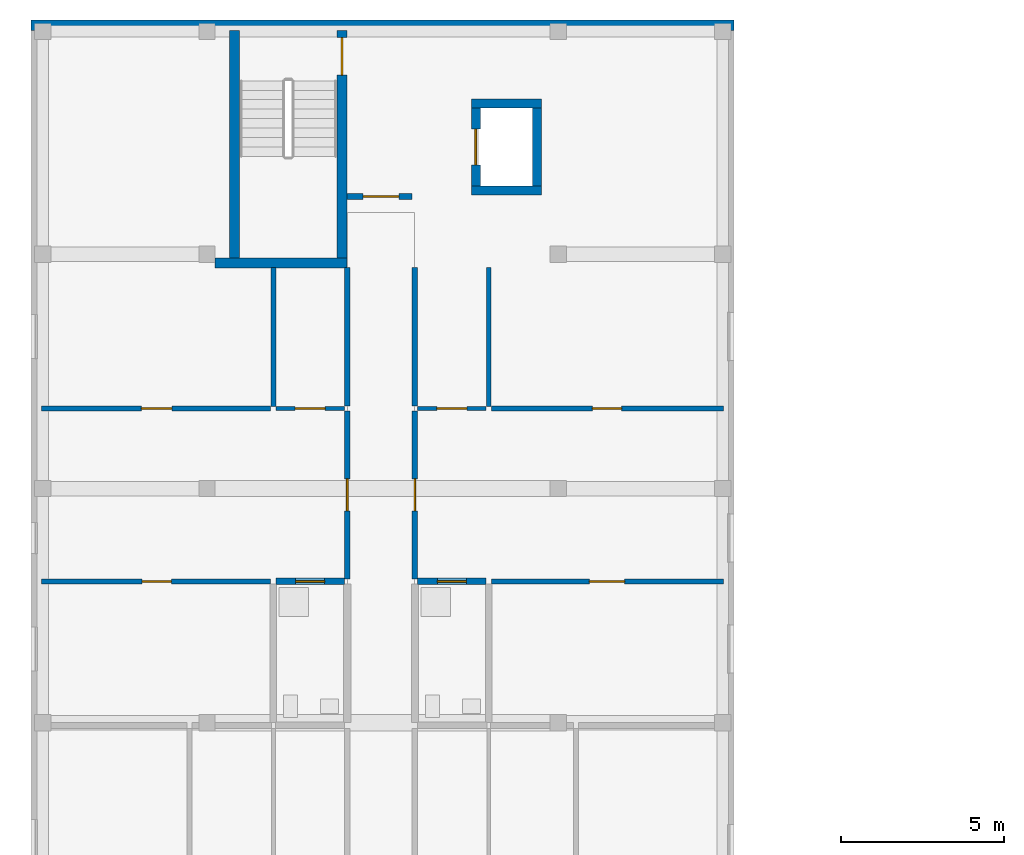
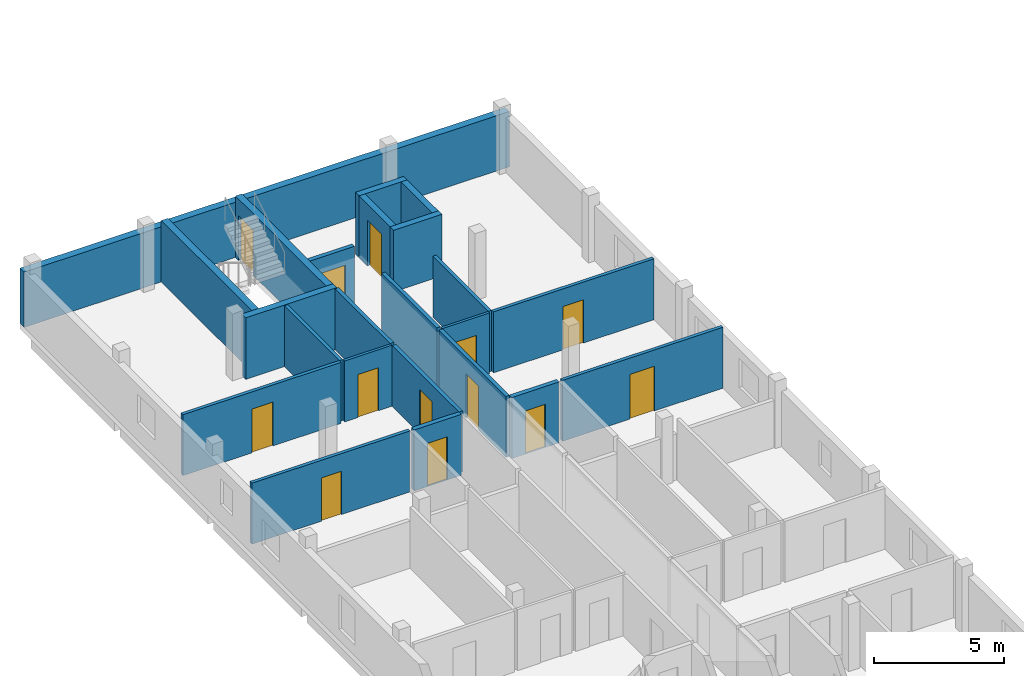
# One storey, part 8 of 16: 23 walls, 13 doors, 13 openings.
"""IFC4 building model written with IfcOpenShell, lengths in metres."""

from ifc_helpers import new_model, si_unit, derived_unit, direction, frame, frame_2d, origin, place, context, subcontext, project, spatial, rectangle, extrude, material, layer, layer_set, type_object, element, fill, save


model = new_model("IFC4")

# Units and contexts
model_context = context("Model", 3, precision=1e-05, world=origin(), true_north=direction((0.0, 1.0)))
body_context = subcontext(model_context, "Body", "Model", "MODEL_VIEW")
ifc_project = project(units=[si_unit("LENGTHUNIT", "METRE"), si_unit("AREAUNIT", "SQUARE_METRE"), si_unit("VOLUMEUNIT", "CUBIC_METRE"), si_unit("PLANEANGLEUNIT", "RADIAN"), si_unit("MASSUNIT", "GRAM", prefix="KILO"), derived_unit("THERMALTRANSMITTANCEUNIT", [(si_unit("MASSUNIT", "GRAM", prefix="KILO"), 1), (si_unit("TIMEUNIT", "SECOND"), -3), (si_unit("THERMODYNAMICTEMPERATUREUNIT", "KELVIN"), -1)])], contexts=[model_context])

# Site, building, storey
site_placement = place(None, origin())
site = spatial("IfcSite", under=ifc_project, at=site_placement, CompositionType="ELEMENT")
building_placement = place(site_placement, origin())
building = spatial("IfcBuilding", under=site, at=building_placement, Name="Ochrekiln Boulevard Commons", CompositionType="ELEMENT")
storey_placement = place(building_placement, frame((0.0, 0.0, 43.574951171875)))
storey = spatial("IfcBuildingStorey", under=building, at=storey_placement, Name="L13", CompositionType="ELEMENT", Elevation=43.574951171875)

# Wall
ifc_material_1 = material(Name="Desert ochre clinker brick masonry ASTM C216 Grade SW", Category="masonry")
ifc_layer_1 = layer(ifc_material_1, 0.320068359375)
ifc_layer_set_1 = layer_set([ifc_layer_1], Name="Desert ochre clinker brick masonry ASTM C216 Grade SW")
wall_type_1 = type_object("IfcWallType", Name="WL-EXT-OCHRE-320", PredefinedType="SOLIDWALL", material=ifc_layer_set_1)
wall_1_placement = place(storey_placement, frame((0.0, 118.639892578125, 0.0), z_axis=(0.0, 0.0, 1.0), x_axis=(1.0, 0.0, 0.0)))
element("IfcWall", 1, at=wall_1_placement, inside=storey, type_object=wall_type_1, Name="Block A L13 N Exterior Wall", PredefinedType="SOLIDWALL", context=body_context, shape_type="SweptSolid", body=[
    extrude(rectangle(XDim=21.60009765625, YDim=0.320068359375, at=frame_2d((10.800048828125, 0.0))), origin(), (0.0, 0.0, 1.0), 2.60009765625),
])

# Wall, opening, door
ifc_material_2 = material(Name="Moisture-resistant cementitious tile backer wall")
ifc_layer_2 = layer(ifc_material_2, 0.199951171875)
ifc_layer_set_2 = layer_set([ifc_layer_2], Name="Moisture-resistant cementitious tile backer wall")
wall_type_2 = type_object("IfcWallType", Name="WL-PLM-200", PredefinedType="PLUMBINGWALL", material=ifc_layer_set_2)
wall_2_placement = place(storey_placement, frame((7.52001953125, 101.547119140625, 0.0), z_axis=(0.0, 0.0, 1.0), x_axis=(1.0, 0.0, 0.0)))
wall_2 = element("IfcWall", 2, at=wall_2_placement, inside=storey, type_object=wall_type_2, Name="L13 Interior Wall W-PW200", PredefinedType="PLUMBINGWALL", context=body_context, shape_type="SweptSolid", body=[
    extrude(rectangle(XDim=2.10791015625, YDim=0.199951171875, at=frame_2d((1.053955078125, 0.0))), origin(), (0.0, 0.0, 1.0), 2.8701171875),
])
opening_1_placement = place(wall_2_placement, frame((0.60498046875, 0.0, 0.0)))
opening_1 = element("IfcOpeningElement", 3, at=opening_1_placement, cuts=wall_2, Name="Opening D-L13-1349", PredefinedType="OPENING", context=body_context, shape_type="SweptSolid", body=[
    extrude(rectangle(XDim=0.889892578125, YDim=2.030029296875, at=frame_2d((0.44482421875, 1.01513671875))), frame((0.0, 0.10986328125, 0.0), z_axis=(0.0, -1.0, 0.0), x_axis=(1.0, 0.0, 0.0)), (0.0, 0.0, 1.0), 0.219970703125),
])
ifc_material_3 = material(Name="Solid core architectural oak door leaf")
door_type_1 = type_object("IfcDoorType", Name="DR-INT-BTH-089", OperationType="NOTDEFINED", PredefinedType="DOOR", material=ifc_material_3)
door_1_placement = place(opening_1_placement, frame((0.889892578125, 0.0, 0.0), z_axis=(0.0, 0.0, 1.0), x_axis=(-1.0, 0.0, 0.0)))
door_1 = element("IfcDoor", 4, at=door_1_placement, inside=storey, type_object=door_type_1, Name="L13 Interior Door to Apartment Bathroom", OperationType="SINGLE_SWING_LEFT", OverallHeight=2.030029296875, OverallWidth=0.889892578125, PredefinedType="DOOR", context=body_context, shape_type="SweptSolid", body=[
    extrude(rectangle(XDim=0.889892578125, YDim=2.030029296875, at=frame_2d((0.44482421875, 1.01513671875))), frame((0.0, 0.02490234375, 0.0), z_axis=(0.0, -1.0, 0.0), x_axis=(1.0, 0.0, 0.0)), (0.0, 0.0, 1.0), 0.050048828125),
])
fill(opening_1, door_1)

wall_3_placement = place(storey_placement, frame((11.8720703125, 101.547119140625, 0.0), z_axis=(0.0, 0.0, 1.0), x_axis=(1.0, 0.0, 0.0)))
wall_3 = element("IfcWall", 5, at=wall_3_placement, inside=storey, type_object=wall_type_2, Name="L13 Interior Wall W-PW200", PredefinedType="PLUMBINGWALL", context=body_context, shape_type="SweptSolid", body=[
    extrude(rectangle(XDim=2.10791015625, YDim=0.199951171875, at=frame_2d((1.053955078125, 0.0))), origin(), (0.0, 0.0, 1.0), 2.8701171875),
])
opening_2_placement = place(wall_3_placement, frame((0.613037109375, 0.0, 0.0)))
opening_2 = element("IfcOpeningElement", 6, at=opening_2_placement, cuts=wall_3, Name="Opening D-L13-1360", PredefinedType="OPENING", context=body_context, shape_type="SweptSolid", body=[
    extrude(rectangle(XDim=0.889892578125, YDim=2.030029296875, at=frame_2d((0.44482421875, 1.01513671875))), frame((0.0, 0.10986328125, 0.0), z_axis=(0.0, -1.0, 0.0), x_axis=(1.0, 0.0, 0.0)), (0.0, 0.0, 1.0), 0.219970703125),
])
door_2_placement = place(opening_2_placement, frame((0.889892578125, 0.0, 0.0), z_axis=(0.0, 0.0, 1.0), x_axis=(-1.0, 0.0, 0.0)))
door_2 = element("IfcDoor", 7, at=door_2_placement, inside=storey, type_object=door_type_1, Name="L13 Interior Door to Apartment Bathroom", OperationType="SINGLE_SWING_RIGHT", OverallHeight=2.030029296875, OverallWidth=0.889892578125, PredefinedType="DOOR", context=body_context, shape_type="SweptSolid", body=[
    extrude(rectangle(XDim=0.889892578125, YDim=2.030029296875, at=frame_2d((0.44482421875, 1.01513671875))), frame((0.0, 0.02490234375, 0.0), z_axis=(0.0, -1.0, 0.0), x_axis=(1.0, 0.0, 0.0)), (0.0, 0.0, 1.0), 0.050048828125),
])
fill(opening_2, door_2)

ifc_material_4 = material(Name="Fire-rated Type X gypsum board on steel studs", Category="steel")
ifc_layer_3 = layer(ifc_material_4, 0.1650390625)
ifc_layer_set_3 = layer_set([ifc_layer_3], Name="Fire-rated Type X gypsum board on steel studs")
wall_type_3 = type_object("IfcWallType", Name="WL-PT-CORR-165", PredefinedType="PARTITIONING", material=ifc_layer_set_3)
wall_4_placement = place(storey_placement, frame((9.7099609375, 101.626953125, 0.0), z_axis=(0.0, 0.0, 1.0), x_axis=(0.0, 1.0, 0.0)))
wall_4 = element("IfcWall", 8, at=wall_4_placement, inside=storey, type_object=wall_type_3, Name="L13 Interior Wall W-PC165", PredefinedType="PARTITIONING", context=body_context, shape_type="SweptSolid", body=[
    extrude(rectangle(XDim=5.156005859375, YDim=0.1650390625, at=frame_2d((2.578125, 0.0))), origin(), (0.0, 0.0, 1.0), 2.8701171875),
])
opening_3_placement = place(wall_4_placement, frame((2.087890625, 0.0, 0.0)))
opening_3 = element("IfcOpeningElement", 9, at=opening_3_placement, cuts=wall_4, Name="Opening D-L13-1339", PredefinedType="OPENING", context=body_context, shape_type="SweptSolid", body=[
    extrude(rectangle(XDim=0.97998046875, YDim=2.080078125, at=frame_2d((0.489990234375, 1.0400390625))), frame((0.0, 0.092529296875, 0.0), z_axis=(0.0, -1.0, 0.0), x_axis=(1.0, 0.0, 0.0)), (0.0, 0.0, 1.0), 0.18505859375),
])
door_type_2 = type_object("IfcDoorType", Name="DR-APT-60", OperationType="NOTDEFINED", PredefinedType="DOOR", material=ifc_material_3)
door_3_placement = place(opening_3_placement, origin())
door_3 = element("IfcDoor", 10, at=door_3_placement, inside=storey, type_object=door_type_2, Name="L13 Interior Door to Two-Bedroom Apartment Living Room", OperationType="SINGLE_SWING_LEFT", OverallHeight=2.080078125, OverallWidth=0.97998046875, PredefinedType="DOOR", context=body_context, shape_type="SweptSolid", body=[
    extrude(rectangle(XDim=0.97998046875, YDim=2.080078125, at=frame_2d((0.489990234375, 1.0400390625))), frame((0.0, 0.02490234375, 0.0), z_axis=(0.0, -1.0, 0.0), x_axis=(1.0, 0.0, 0.0)), (0.0, 0.0, 1.0), 0.050048828125),
])
fill(opening_3, door_3)

# Wall
wall_5_placement = place(storey_placement, frame((9.7099609375, 106.943115234375, 0.0), z_axis=(0.0, 0.0, 1.0), x_axis=(0.0, 1.0, 0.0)))
element("IfcWall", 11, at=wall_5_placement, inside=storey, type_object=wall_type_3, Name="L13 Interior Wall W-PC165", PredefinedType="PARTITIONING", context=body_context, shape_type="SweptSolid", body=[
    extrude(rectangle(XDim=4.2568359375, YDim=0.1650390625, at=frame_2d((2.12841796875, 0.0))), origin(), (0.0, 0.0, 1.0), 2.8701171875),
])

# Wall, opening, door
wall_6_placement = place(storey_placement, frame((11.7900390625, 101.626953125, 0.0), z_axis=(0.0, 0.0, 1.0), x_axis=(0.0, 1.0, 0.0)))
wall_6 = element("IfcWall", 12, at=wall_6_placement, inside=storey, type_object=wall_type_3, Name="L13 Interior Wall W-PC165", PredefinedType="PARTITIONING", context=body_context, shape_type="SweptSolid", body=[
    extrude(rectangle(XDim=5.156005859375, YDim=0.1650390625, at=frame_2d((2.578125, 0.0))), origin(), (0.0, 0.0, 1.0), 2.8701171875),
])
opening_4_placement = place(wall_6_placement, frame((2.087890625, 0.0, 0.0)))
opening_4 = element("IfcOpeningElement", 13, at=opening_4_placement, cuts=wall_6, Name="Opening D-L13-1341", PredefinedType="OPENING", context=body_context, shape_type="SweptSolid", body=[
    extrude(rectangle(XDim=0.97998046875, YDim=2.080078125, at=frame_2d((0.489990234375, 1.0400390625))), frame((0.0, 0.092529296875, 0.0), z_axis=(0.0, -1.0, 0.0), x_axis=(1.0, 0.0, 0.0)), (0.0, 0.0, 1.0), 0.18505859375),
])
door_4_placement = place(opening_4_placement, frame((0.97998046875, 0.0, 0.0), z_axis=(0.0, 0.0, 1.0), x_axis=(-1.0, 0.0, 0.0)))
door_4 = element("IfcDoor", 14, at=door_4_placement, inside=storey, type_object=door_type_2, Name="L13 Interior Door to Two-Bedroom Apartment Living Room", OperationType="SINGLE_SWING_LEFT", OverallHeight=2.080078125, OverallWidth=0.97998046875, PredefinedType="DOOR", context=body_context, shape_type="SweptSolid", body=[
    extrude(rectangle(XDim=0.97998046875, YDim=2.080078125, at=frame_2d((0.489990234375, 1.0400390625))), frame((0.0, 0.02490234375, 0.0), z_axis=(0.0, -1.0, 0.0), x_axis=(1.0, 0.0, 0.0)), (0.0, 0.0, 1.0), 0.050048828125),
])
fill(opening_4, door_4)

# Wall
wall_7_placement = place(storey_placement, frame((11.7900390625, 106.943115234375, 0.0), z_axis=(0.0, 0.0, 1.0), x_axis=(0.0, 1.0, 0.0)))
element("IfcWall", 15, at=wall_7_placement, inside=storey, type_object=wall_type_3, Name="L13 Interior Wall W-PC165", PredefinedType="PARTITIONING", context=body_context, shape_type="SweptSolid", body=[
    extrude(rectangle(XDim=4.2568359375, YDim=0.1650390625, at=frame_2d((2.12841796875, 0.0))), origin(), (0.0, 0.0, 1.0), 2.8701171875),
])

# Wall, opening, door
ifc_layer_4 = layer(ifc_material_4, 0.18994140625)
ifc_layer_set_4 = layer_set([ifc_layer_4], Name="Fire-rated Type X gypsum board on steel studs")
wall_type_4 = type_object("IfcWallType", Name="WL-PT-LBY-190", PredefinedType="PARTITIONING", material=ifc_layer_set_4)
wall_8_placement = place(storey_placement, frame((9.699951171875, 113.3798828125, 0.0), z_axis=(0.0, 0.0, 1.0), x_axis=(1.0, 0.0, 0.0)))
wall_8 = element("IfcWall", 16, at=wall_8_placement, inside=storey, type_object=wall_type_4, Name="L13 Interior Wall W-PL190", PredefinedType="PARTITIONING", context=body_context, shape_type="SweptSolid", body=[
    extrude(rectangle(XDim=2.0, YDim=0.18994140625, at=frame_2d((1.0, 0.0))), origin(), (0.0, 0.0, 1.0), 2.8701171875),
])
opening_5_placement = place(wall_8_placement, frame((0.5, 0.0, 0.0)))
opening_5 = element("IfcOpeningElement", 17, at=opening_5_placement, cuts=wall_8, Name="Opening D-L13-1336", PredefinedType="OPENING", context=body_context, shape_type="SweptSolid", body=[
    extrude(rectangle(XDim=1.10009765625, YDim=2.1201171875, at=frame_2d((0.550048828125, 1.06005859375))), frame((0.0, 0.10498046875, 0.0), z_axis=(0.0, -1.0, 0.0), x_axis=(1.0, 0.0, 0.0)), (0.0, 0.0, 1.0), 0.2099609375),
])
ifc_material_5 = material(Name="Hollow metal fire-rated steel door assembly", Category="steel")
door_type_3 = type_object("IfcDoorType", Name="DR-LOBBY-60", OperationType="NOTDEFINED", PredefinedType="DOOR", material=ifc_material_5)
door_5_placement = place(opening_5_placement, origin())
door_5 = element("IfcDoor", 18, at=door_5_placement, inside=storey, type_object=door_type_3, Name="L13 Interior Door to Fire Service Access Elevator Lobby", OperationType="SINGLE_SWING_RIGHT", OverallHeight=2.1201171875, OverallWidth=1.10009765625, PredefinedType="DOOR", context=body_context, shape_type="SweptSolid", body=[
    extrude(rectangle(XDim=1.10009765625, YDim=2.1201171875, at=frame_2d((0.550048828125, 1.06005859375))), frame((0.0, 0.02490234375, 0.0), z_axis=(0.0, -1.0, 0.0), x_axis=(1.0, 0.0, 0.0)), (0.0, 0.0, 1.0), 0.050048828125),
])
fill(opening_5, door_5)

ifc_layer_5 = layer(ifc_material_4, 0.1201171875)
ifc_layer_set_5 = layer_set([ifc_layer_5], Name="Fire-rated Type X gypsum board on steel studs")
wall_type_5 = type_object("IfcWallType", Name="WL-PT-LGT-120", PredefinedType="PARTITIONING", material=ifc_layer_set_5)
wall_9_placement = place(storey_placement, frame((7.52001953125, 106.863037109375, 0.0), z_axis=(0.0, 0.0, 1.0), x_axis=(1.0, 0.0, 0.0)))
wall_9 = element("IfcWall", 19, at=wall_9_placement, inside=storey, type_object=wall_type_5, Name="L13 Interior Wall W-PL120", PredefinedType="PARTITIONING", context=body_context, shape_type="SweptSolid", body=[
    extrude(rectangle(XDim=2.10791015625, YDim=0.1201171875, at=frame_2d((1.053955078125, 0.0))), origin(), (0.0, 0.0, 1.0), 2.8701171875),
])
opening_6_placement = place(wall_9_placement, frame((0.590087890625, 0.0, 0.0)))
opening_6 = element("IfcOpeningElement", 20, at=opening_6_placement, cuts=wall_9, Name="Opening D-L13-1350", PredefinedType="OPENING", context=body_context, shape_type="SweptSolid", body=[
    extrude(rectangle(XDim=0.919921875, YDim=2.02001953125, at=frame_2d((0.4599609375, 1.010009765625))), frame((0.0, 0.070068359375, 0.0), z_axis=(0.0, -1.0, 0.0), x_axis=(1.0, 0.0, 0.0)), (0.0, 0.0, 1.0), 0.14013671875),
])
door_type_4 = type_object("IfcDoorType", Name="DR-INT-KIT-092", OperationType="NOTDEFINED", PredefinedType="DOOR", material=ifc_material_3)
door_6_placement = place(opening_6_placement, origin())
door_6 = element("IfcDoor", 21, at=door_6_placement, inside=storey, type_object=door_type_4, Name="L13 Interior Door to Apartment Kitchen", OperationType="SINGLE_SWING_RIGHT", OverallHeight=2.02001953125, OverallWidth=0.919921875, PredefinedType="DOOR", context=body_context, shape_type="SweptSolid", body=[
    extrude(rectangle(XDim=0.919921875, YDim=2.02001953125, at=frame_2d((0.4599609375, 1.010009765625))), frame((0.0, 0.02490234375, 0.0), z_axis=(0.0, -1.0, 0.0), x_axis=(1.0, 0.0, 0.0)), (0.0, 0.0, 1.0), 0.050048828125),
])
fill(opening_6, door_6)

wall_10_placement = place(storey_placement, frame((11.8720703125, 106.863037109375, 0.0), z_axis=(0.0, 0.0, 1.0), x_axis=(1.0, 0.0, 0.0)))
wall_10 = element("IfcWall", 22, at=wall_10_placement, inside=storey, type_object=wall_type_5, Name="L13 Interior Wall W-PL120", PredefinedType="PARTITIONING", context=body_context, shape_type="SweptSolid", body=[
    extrude(rectangle(XDim=2.10791015625, YDim=0.1201171875, at=frame_2d((1.053955078125, 0.0))), origin(), (0.0, 0.0, 1.0), 2.8701171875),
])
opening_7_placement = place(wall_10_placement, frame((0.597900390625, 0.0, 0.0)))
opening_7 = element("IfcOpeningElement", 23, at=opening_7_placement, cuts=wall_10, Name="Opening D-L13-1361", PredefinedType="OPENING", context=body_context, shape_type="SweptSolid", body=[
    extrude(rectangle(XDim=0.919921875, YDim=2.02001953125, at=frame_2d((0.4599609375, 1.010009765625))), frame((0.0, 0.070068359375, 0.0), z_axis=(0.0, -1.0, 0.0), x_axis=(1.0, 0.0, 0.0)), (0.0, 0.0, 1.0), 0.14013671875),
])
door_7_placement = place(opening_7_placement, origin())
door_7 = element("IfcDoor", 24, at=door_7_placement, inside=storey, type_object=door_type_4, Name="L13 Interior Door to Apartment Kitchen", OperationType="SINGLE_SWING_LEFT", OverallHeight=2.02001953125, OverallWidth=0.919921875, PredefinedType="DOOR", context=body_context, shape_type="SweptSolid", body=[
    extrude(rectangle(XDim=0.919921875, YDim=2.02001953125, at=frame_2d((0.4599609375, 1.010009765625))), frame((0.0, 0.02490234375, 0.0), z_axis=(0.0, -1.0, 0.0), x_axis=(1.0, 0.0, 0.0)), (0.0, 0.0, 1.0), 0.050048828125),
])
fill(opening_7, door_7)

ifc_layer_6 = layer(ifc_material_4, 0.14990234375)
ifc_layer_set_6 = layer_set([ifc_layer_6], Name="Fire-rated Type X gypsum board on steel studs")
wall_type_6 = type_object("IfcWallType", Name="WL-PT-STD-150", PredefinedType="PARTITIONING", material=ifc_layer_set_6)
wall_11_placement = place(storey_placement, frame((0.320068359375, 101.547119140625, 0.0), z_axis=(0.0, 0.0, 1.0), x_axis=(1.0, 0.0, 0.0)))
wall_11 = element("IfcWall", 25, at=wall_11_placement, inside=storey, type_object=wall_type_6, Name="L13 Interior Wall W-PS150", PredefinedType="PARTITIONING", context=body_context, shape_type="SweptSolid", body=[
    extrude(rectangle(XDim=7.0400390625, YDim=0.14990234375, at=frame_2d((3.52001953125, 0.0))), origin(), (0.0, 0.0, 1.0), 2.8701171875),
])
opening_8_placement = place(wall_11_placement, frame((3.0849609375, 0.0, 0.0)))
opening_8 = element("IfcOpeningElement", 26, at=opening_8_placement, cuts=wall_11, Name="Opening D-L13-1351", PredefinedType="OPENING", context=body_context, shape_type="SweptSolid", body=[
    extrude(rectangle(XDim=0.89990234375, YDim=2.0400390625, at=frame_2d((0.449951171875, 1.02001953125))), frame((0.0, 0.0849609375, 0.0), z_axis=(0.0, -1.0, 0.0), x_axis=(1.0, 0.0, 0.0)), (0.0, 0.0, 1.0), 0.169921875),
])
door_type_5 = type_object("IfcDoorType", Name="DR-INT-BED-090", OperationType="NOTDEFINED", PredefinedType="DOOR", material=ifc_material_3)
door_8_placement = place(opening_8_placement, frame((0.89990234375, 0.0, 0.0), z_axis=(0.0, 0.0, 1.0), x_axis=(-1.0, 0.0, 0.0)))
door_8 = element("IfcDoor", 27, at=door_8_placement, inside=storey, type_object=door_type_5, Name="L13 Interior Door to Primary Apartment Bedroom", OperationType="SINGLE_SWING_LEFT", OverallHeight=2.0400390625, OverallWidth=0.89990234375, PredefinedType="DOOR", context=body_context, shape_type="SweptSolid", body=[
    extrude(rectangle(XDim=0.89990234375, YDim=2.0400390625, at=frame_2d((0.449951171875, 1.02001953125))), frame((0.0, 0.02490234375, 0.0), z_axis=(0.0, -1.0, 0.0), x_axis=(1.0, 0.0, 0.0)), (0.0, 0.0, 1.0), 0.050048828125),
])
fill(opening_8, door_8)

wall_12_placement = place(storey_placement, frame((0.320068359375, 106.863037109375, 0.0), z_axis=(0.0, 0.0, 1.0), x_axis=(1.0, 0.0, 0.0)))
wall_12 = element("IfcWall", 28, at=wall_12_placement, inside=storey, type_object=wall_type_6, Name="L13 Interior Wall W-PS150", PredefinedType="PARTITIONING", context=body_context, shape_type="SweptSolid", body=[
    extrude(rectangle(XDim=7.0400390625, YDim=0.14990234375, at=frame_2d((3.52001953125, 0.0))), origin(), (0.0, 0.0, 1.0), 2.8701171875),
])
opening_9_placement = place(wall_12_placement, frame((3.06494140625, 0.0, 0.0)))
opening_9 = element("IfcOpeningElement", 29, at=opening_9_placement, cuts=wall_12, Name="Opening D-L13-1352", PredefinedType="OPENING", context=body_context, shape_type="SweptSolid", body=[
    extrude(rectangle(XDim=0.93994140625, YDim=2.06005859375, at=frame_2d((0.469970703125, 1.030029296875))), frame((0.0, 0.0849609375, 0.0), z_axis=(0.0, -1.0, 0.0), x_axis=(1.0, 0.0, 0.0)), (0.0, 0.0, 1.0), 0.169921875),
])
door_type_6 = type_object("IfcDoorType", Name="DR-INT-BED-094", OperationType="NOTDEFINED", PredefinedType="DOOR", material=ifc_material_3)
door_9_placement = place(opening_9_placement, origin())
door_9 = element("IfcDoor", 30, at=door_9_placement, inside=storey, type_object=door_type_6, Name="L13 Interior Door to Secondary Apartment Bedroom", OperationType="SINGLE_SWING_RIGHT", OverallHeight=2.06005859375, OverallWidth=0.93994140625, PredefinedType="DOOR", context=body_context, shape_type="SweptSolid", body=[
    extrude(rectangle(XDim=0.93994140625, YDim=2.06005859375, at=frame_2d((0.469970703125, 1.030029296875))), frame((0.0, 0.02490234375, 0.0), z_axis=(0.0, -1.0, 0.0), x_axis=(1.0, 0.0, 0.0)), (0.0, 0.0, 1.0), 0.050048828125),
])
fill(opening_9, door_9)

# Wall
wall_13_placement = place(storey_placement, frame((7.43994140625, 106.923095703125, 0.0), z_axis=(0.0, 0.0, 1.0), x_axis=(0.0, 1.0, 0.0)))
element("IfcWall", 31, at=wall_13_placement, inside=storey, type_object=wall_type_6, Name="L13 Interior Wall W-PS150", PredefinedType="PARTITIONING", context=body_context, shape_type="SweptSolid", body=[
    extrude(rectangle(XDim=4.27685546875, YDim=0.14990234375, at=frame_2d((2.138427734375, 0.0))), origin(), (0.0, 0.0, 1.0), 2.8701171875),
])

# Wall, opening, door
wall_14_placement = place(storey_placement, frame((14.139892578125, 101.547119140625, 0.0), z_axis=(0.0, 0.0, 1.0), x_axis=(1.0, 0.0, 0.0)))
wall_14 = element("IfcWall", 32, at=wall_14_placement, inside=storey, type_object=wall_type_6, Name="L13 Interior Wall W-PS150", PredefinedType="PARTITIONING", context=body_context, shape_type="SweptSolid", body=[
    extrude(rectangle(XDim=7.14013671875, YDim=0.14990234375, at=frame_2d((3.570068359375, 0.0))), origin(), (0.0, 0.0, 1.0), 2.8701171875),
])
opening_10_placement = place(wall_14_placement, frame((3.014892578125, 0.0, 0.0)))
opening_10 = element("IfcOpeningElement", 33, at=opening_10_placement, cuts=wall_14, Name="Opening D-L13-1362", PredefinedType="OPENING", context=body_context, shape_type="SweptSolid", body=[
    extrude(rectangle(XDim=1.080078125, YDim=2.10009765625, at=frame_2d((0.5400390625, 1.050048828125))), frame((0.0, 0.0849609375, 0.0), z_axis=(0.0, -1.0, 0.0), x_axis=(1.0, 0.0, 0.0)), (0.0, 0.0, 1.0), 0.169921875),
])
door_type_7 = type_object("IfcDoorType", Name="DR-INT-BED-108", OperationType="NOTDEFINED", PredefinedType="DOOR", material=ifc_material_3)
door_10_placement = place(opening_10_placement, frame((1.080078125, 0.0, 0.0), z_axis=(0.0, 0.0, 1.0), x_axis=(-1.0, 0.0, 0.0)))
door_10 = element("IfcDoor", 34, at=door_10_placement, inside=storey, type_object=door_type_7, Name="L13 Interior Door to Primary Apartment Bedroom", OperationType="SINGLE_SWING_RIGHT", OverallHeight=2.10009765625, OverallWidth=1.080078125, PredefinedType="DOOR", context=body_context, shape_type="SweptSolid", body=[
    extrude(rectangle(XDim=1.080078125, YDim=2.10009765625, at=frame_2d((0.5400390625, 1.050048828125))), frame((0.0, 0.02490234375, 0.0), z_axis=(0.0, -1.0, 0.0), x_axis=(1.0, 0.0, 0.0)), (0.0, 0.0, 1.0), 0.050048828125),
])
fill(opening_10, door_10)

wall_15_placement = place(storey_placement, frame((14.139892578125, 106.863037109375, 0.0), z_axis=(0.0, 0.0, 1.0), x_axis=(1.0, 0.0, 0.0)))
wall_15 = element("IfcWall", 35, at=wall_15_placement, inside=storey, type_object=wall_type_6, Name="L13 Interior Wall W-PS150", PredefinedType="PARTITIONING", context=body_context, shape_type="SweptSolid", body=[
    extrude(rectangle(XDim=7.14013671875, YDim=0.14990234375, at=frame_2d((3.570068359375, 0.0))), origin(), (0.0, 0.0, 1.0), 2.8701171875),
])
opening_11_placement = place(wall_15_placement, frame((3.10498046875, 0.0, 0.0)))
opening_11 = element("IfcOpeningElement", 36, at=opening_11_placement, cuts=wall_15, Name="Opening D-L13-1363", PredefinedType="OPENING", context=body_context, shape_type="SweptSolid", body=[
    extrude(rectangle(XDim=0.89990234375, YDim=2.0400390625, at=frame_2d((0.449951171875, 1.02001953125))), frame((0.0, 0.0849609375, 0.0), z_axis=(0.0, -1.0, 0.0), x_axis=(1.0, 0.0, 0.0)), (0.0, 0.0, 1.0), 0.169921875),
])
door_11_placement = place(opening_11_placement, origin())
door_11 = element("IfcDoor", 37, at=door_11_placement, inside=storey, type_object=door_type_5, Name="L13 Interior Door to Secondary Apartment Bedroom", OperationType="SINGLE_SWING_LEFT", OverallHeight=2.0400390625, OverallWidth=0.89990234375, PredefinedType="DOOR", context=body_context, shape_type="SweptSolid", body=[
    extrude(rectangle(XDim=0.89990234375, YDim=2.0400390625, at=frame_2d((0.449951171875, 1.02001953125))), frame((0.0, 0.02490234375, 0.0), z_axis=(0.0, -1.0, 0.0), x_axis=(1.0, 0.0, 0.0)), (0.0, 0.0, 1.0), 0.050048828125),
])
fill(opening_11, door_11)

# Walls
wall_16_placement = place(storey_placement, frame((14.06005859375, 106.923095703125, 0.0), z_axis=(0.0, 0.0, 1.0), x_axis=(0.0, 1.0, 0.0)))
element("IfcWall", 38, at=wall_16_placement, inside=storey, type_object=wall_type_6, Name="L13 Interior Wall W-PS150", PredefinedType="PARTITIONING", context=body_context, shape_type="SweptSolid", body=[
    extrude(rectangle(XDim=4.27685546875, YDim=0.14990234375, at=frame_2d((2.138427734375, 0.0))), origin(), (0.0, 0.0, 1.0), 2.8701171875),
])
ifc_material_6 = material(Name="Concrete C40/50", Category="concrete")
ifc_layer_7 = layer(ifc_material_6, 0.27490234375)
ifc_layer_set_7 = layer_set([ifc_layer_7], Name="Concrete C40/50")
wall_type_7 = type_object("IfcWallType", Name="WL-SH-275", PredefinedType="SHEAR", material=ifc_layer_set_7)
for number, where, z_axis, x_axis, name in (
    (39, (13.52490234375, 113.5625, 0.0), (0.0, 0.0, 1.0), (1.0, 0.0, 0.0), "Elevator FF-A2 L13 Hoistway Shear Wall"),
    (40, (13.52490234375, 116.237548828125, 0.0), (0.0, 0.0, 1.0), (1.0, 0.0, 0.0), "Elevator FF-A2 L13 Hoistway Shear Wall"),
):
    element("IfcWall", number, at=place(storey_placement, frame(where, z_axis=z_axis, x_axis=x_axis)), inside=storey, type_object=wall_type_7, Name=name, PredefinedType="SHEAR", context=body_context, shape_type="SweptSolid", body=[
        extrude(rectangle(XDim=2.150146484375, YDim=0.27490234375, at=frame_2d((1.0751953125, 0.0))), origin(), (0.0, 0.0, 1.0), 2.900146484375),
    ])

# Wall, opening, door
wall_17_placement = place(storey_placement, frame((13.66259765625, 113.699951171875, 0.0), z_axis=(0.0, 0.0, 1.0), x_axis=(0.0, 1.0, 0.0)))
wall_17 = element("IfcWall", 41, at=wall_17_placement, inside=storey, type_object=wall_type_7, Name="Elevator FF-A2 L13 Hoistway Shear Wall", PredefinedType="SHEAR", context=body_context, shape_type="SweptSolid", body=[
    extrude(rectangle(XDim=2.400146484375, YDim=0.27490234375, at=frame_2d((1.2001953125, 0.0))), origin(), (0.0, 0.0, 1.0), 2.900146484375),
])
opening_12_placement = place(wall_17_placement, frame((0.64990234375, 0.0, 0.0)))
opening_12 = element("IfcOpeningElement", 42, at=opening_12_placement, cuts=wall_17, Name="Opening LD-FF-A2-L13", PredefinedType="OPENING", context=body_context, shape_type="SweptSolid", body=[
    extrude(rectangle(XDim=1.10009765625, YDim=2.14990234375, at=frame_2d((0.550048828125, 1.074951171875))), frame((0.0, 0.1474609375, 0.0), z_axis=(0.0, -1.0, 0.0), x_axis=(1.0, 0.0, 0.0)), (0.0, 0.0, 1.0), 0.294921875),
])
ifc_material_7 = material(Name="Brushed stainless steel 316 elevator cab and doors", Category="steel")
door_type_8 = type_object("IfcDoorType", Name="DR-LIFT-LD90", OperationType="SLIDING_TO_LEFT", PredefinedType="DOOR", material=ifc_material_7)
door_12_placement = place(opening_12_placement, origin())
door_12 = element("IfcDoor", 43, at=door_12_placement, inside=storey, type_object=door_type_8, Name="Elevator FF-A2 L13 Sliding Landing Door LD-FF-A2-L13", OperationType="SLIDING_TO_LEFT", OverallHeight=2.14990234375, OverallWidth=1.10009765625, PredefinedType="DOOR", context=body_context, shape_type="SweptSolid", body=[
    extrude(rectangle(XDim=1.10009765625, YDim=2.14990234375, at=frame_2d((0.550048828125, 1.074951171875))), frame((0.0, 0.02490234375, 0.0), z_axis=(0.0, -1.0, 0.0), x_axis=(1.0, 0.0, 0.0)), (0.0, 0.0, 1.0), 0.050048828125),
])
fill(opening_12, door_12)

# Walls
wall_18_placement = place(storey_placement, frame((15.53759765625, 113.699951171875, 0.0), z_axis=(0.0, 0.0, 1.0), x_axis=(0.0, 1.0, 0.0)))
element("IfcWall", 44, at=wall_18_placement, inside=storey, type_object=wall_type_7, Name="Elevator FF-A2 L13 Hoistway Shear Wall", PredefinedType="SHEAR", context=body_context, shape_type="SweptSolid", body=[
    extrude(rectangle(XDim=2.400146484375, YDim=0.27490234375, at=frame_2d((1.2001953125, 0.0))), origin(), (0.0, 0.0, 1.0), 2.900146484375),
])
ifc_layer_8 = layer(ifc_material_6, 0.300048828125)
ifc_layer_set_8 = layer_set([ifc_layer_8], Name="Concrete C40/50")
wall_type_8 = type_object("IfcWallType", Name="WL-SH-300", PredefinedType="SHEAR", material=ifc_layer_set_8)
wall_19_placement = place(storey_placement, frame((5.64990234375, 111.330078125, 0.0), z_axis=(0.0, 0.0, 1.0), x_axis=(1.0, 0.0, 0.0)))
element("IfcWall", 45, at=wall_19_placement, inside=storey, type_object=wall_type_8, Name="Stair ST-A2 L13 Core Shear Wall S", PredefinedType="SHEAR", context=body_context, shape_type="SweptSolid", body=[
    extrude(rectangle(XDim=4.050048828125, YDim=0.300048828125, at=frame_2d((2.02490234375, 0.0))), origin(), (0.0, 0.0, 1.0), 2.900146484375),
])
wall_20_placement = place(storey_placement, frame((6.25, 111.47998046875, 0.0), z_axis=(0.0, 0.0, 1.0), x_axis=(0.0, 1.0, 0.0)))
element("IfcWall", 46, at=wall_20_placement, inside=storey, type_object=wall_type_8, Name="Stair ST-A2 L13 Core Shear Wall W", PredefinedType="SHEAR", context=body_context, shape_type="SweptSolid", body=[
    extrude(rectangle(XDim=7.0, YDim=0.300048828125, at=frame_2d((3.5, 0.0))), origin(), (0.0, 0.0, 1.0), 2.900146484375),
])

# Wall, opening, door
wall_21_placement = place(storey_placement, frame((9.550048828125, 111.47998046875, 0.0), z_axis=(0.0, 0.0, 1.0), x_axis=(0.0, 1.0, 0.0)))
wall_21 = element("IfcWall", 47, at=wall_21_placement, inside=storey, type_object=wall_type_8, Name="Stair ST-A2 L13 Core Shear Wall E", PredefinedType="SHEAR", context=body_context, shape_type="SweptSolid", body=[
    extrude(rectangle(XDim=7.0, YDim=0.300048828125, at=frame_2d((3.5, 0.0))), origin(), (0.0, 0.0, 1.0), 2.900146484375),
])
opening_13_placement = place(wall_21_placement, frame((5.625, 0.0, 0.0)))
opening_13 = element("IfcOpeningElement", 48, at=opening_13_placement, cuts=wall_21, Name="Opening D-L13-ST-A2", PredefinedType="OPENING", context=body_context, shape_type="SweptSolid", body=[
    extrude(rectangle(XDim=1.14990234375, YDim=2.1201171875, at=frame_2d((0.574951171875, 1.06005859375))), frame((0.0, 0.159912109375, 0.0), z_axis=(0.0, -1.0, 0.0), x_axis=(1.0, 0.0, 0.0)), (0.0, 0.0, 1.0), 0.320068359375),
])
door_type_9 = type_object("IfcDoorType", Name="DR-STAIR-90", OperationType="NOTDEFINED", PredefinedType="DOOR", material=ifc_material_5)
door_13_placement = place(opening_13_placement, origin())
door_13 = element("IfcDoor", 49, at=door_13_placement, inside=storey, type_object=door_type_9, Name="Enclosed Exit Stair ST-A2 L13 Rated Door", OperationType="SINGLE_SWING_LEFT", OverallHeight=2.1201171875, OverallWidth=1.14990234375, PredefinedType="DOOR", context=body_context, shape_type="SweptSolid", body=[
    extrude(rectangle(XDim=1.14990234375, YDim=2.1201171875, at=frame_2d((0.574951171875, 1.06005859375))), frame((0.0, 0.02490234375, 0.0), z_axis=(0.0, -1.0, 0.0), x_axis=(1.0, 0.0, 0.0)), (0.0, 0.0, 1.0), 0.050048828125),
])
fill(opening_13, door_13)

save(model, "model.ifc")
